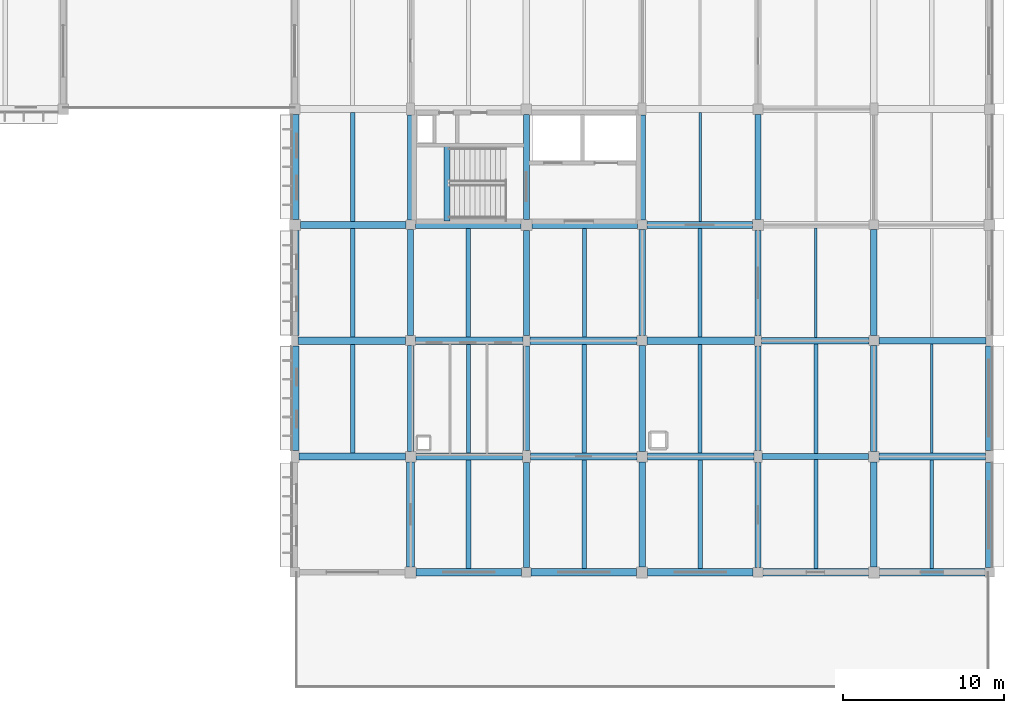
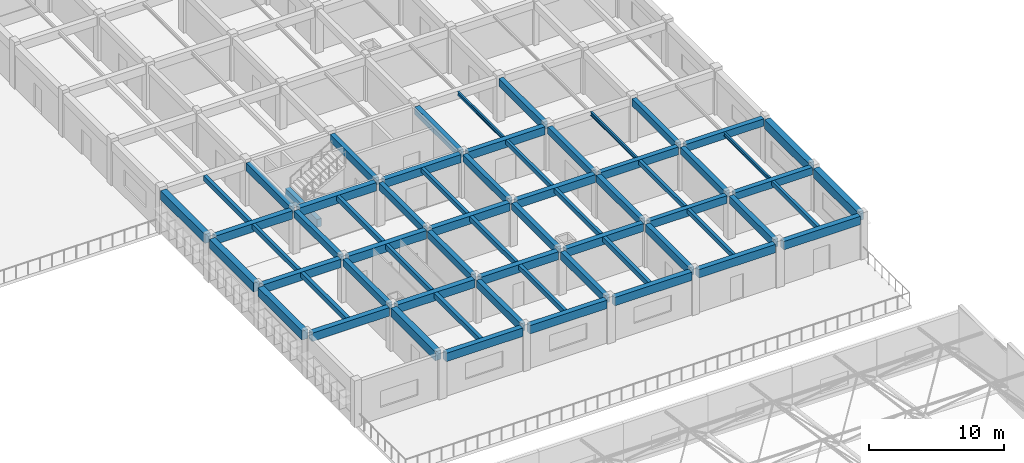
# One storey, part 63 of 103: 64 beams.
"""IFC4 building model written with IfcOpenShell, lengths in metres."""

from ifc_helpers import new_model, si_unit, direction, frame, origin, origin_2d, place, context, subcontext, project, spatial, rectangle, i_section, extrude, material, material_profile, profile_set, type_object, element, save


model = new_model("IFC4")

# Units and contexts
model_context = context("Model", 3, precision=1e-05, world=origin(), true_north=direction((0.0, 1.0)))
body_context = subcontext(model_context, "Body", "Model", "MODEL_VIEW")
ifc_project = project(units=[si_unit("LENGTHUNIT", "METRE"), si_unit("AREAUNIT", "SQUARE_METRE"), si_unit("VOLUMEUNIT", "CUBIC_METRE"), si_unit("PLANEANGLEUNIT", "RADIAN"), si_unit("MASSUNIT", "GRAM", prefix="KILO")], contexts=[model_context])

# Site, building, storey
site_placement = place(None, origin())
site = spatial("IfcSite", under=ifc_project, at=site_placement, CompositionType="ELEMENT")
building_placement = place(site_placement, origin())
building = spatial("IfcBuilding", under=site, at=building_placement, Name="Thalmaran Polytechnic", CompositionType="ELEMENT")
storey_placement = place(building_placement, frame((0.0, 0.0, 14.39990234375)))
storey = spatial("IfcBuildingStorey", under=building, at=storey_placement, Name="L03", CompositionType="ELEMENT", Elevation=14.39990234375)

# Beams
ifc_material_1 = material(Name="Concrete C40/50", Category="concrete")
ifc_material_profile_1 = material_profile(ifc_material_1, rectangle(XDim=0.449951171875, YDim=0.75, at=origin_2d()), Name="RC 450x750")
ifc_profile_set_1 = profile_set([ifc_material_profile_1], Name="Concrete C40/50")
beam_type_1 = type_object("IfcBeamType", Name="BM-RC03", PredefinedType="BEAM", material=ifc_profile_set_1)
beam_1_placement = place(storey_placement, frame((129.81005859375, 79.199951171875, 3.5400390625), z_axis=(1.0, 0.0, 0.0), x_axis=(0.0, 1.0, 0.0)))
element("IfcBeam", 1, at=beam_1_placement, inside=storey, type_object=beam_type_1, Name="Grid Beam B03 L03 X(18,11)", PredefinedType="BEAM", context=body_context, shape_type="SweptSolid", body=[
    extrude(rectangle(XDim=0.449951171875, YDim=0.75, at=origin_2d()), origin(), (0.0, 0.0, 1.0), 6.679931640625),
])
beam_2_placement = place(storey_placement, frame((129.93994140625, 86.39990234375, 3.5400390625), z_axis=(1.0, 0.0, 0.0), x_axis=(0.0, 1.0, 0.0)))
element("IfcBeam", 2, at=beam_2_placement, inside=storey, type_object=beam_type_1, Name="Grid Beam B03 L03 X(18,12)", PredefinedType="BEAM", context=body_context, shape_type="SweptSolid", body=[
    extrude(rectangle(XDim=0.449951171875, YDim=0.75, at=origin_2d()), origin(), (0.0, 0.0, 1.0), 6.56005859375),
])
ifc_material_profile_2 = material_profile(ifc_material_1, rectangle(XDim=0.449951171875, YDim=0.72509765625, at=origin_2d()), Name="RC 450x725")
ifc_profile_set_2 = profile_set([ifc_material_profile_2], Name="Concrete C40/50")
beam_type_2 = type_object("IfcBeamType", Name="BM-RC04", PredefinedType="BEAM", material=ifc_profile_set_2)
beam_3_placement = place(storey_placement, frame((144.25, 72.0, 3.552490234375), z_axis=(1.0, 0.0, 0.0), x_axis=(0.0, 1.0, 0.0)))
element("IfcBeam", 3, at=beam_3_placement, inside=storey, type_object=beam_type_2, Name="Grid Beam B04 L03 X(20,10)", PredefinedType="BEAM", context=body_context, shape_type="SweptSolid", body=[
    extrude(rectangle(XDim=0.449951171875, YDim=0.72509765625, at=origin_2d()), origin(), (0.0, 0.0, 1.0), 6.625),
])
beam_4_placement = place(storey_placement, frame((144.2099609375, 79.199951171875, 3.57763671875), z_axis=(1.0, 0.0, 0.0), x_axis=(0.0, 1.0, 0.0)))
element("IfcBeam", 4, at=beam_4_placement, inside=storey, type_object=beam_type_2, Name="Grid Beam B04 L03 X(20,11)", PredefinedType="BEAM", context=body_context, shape_type="SweptSolid", body=[
    extrude(rectangle(XDim=0.449951171875, YDim=0.72509765625, at=origin_2d()), origin(), (0.0, 0.0, 1.0), 6.679931640625),
])
beam_5_placement = place(storey_placement, frame((144.340087890625, 86.39990234375, 3.57763671875), z_axis=(1.0, 0.0, 0.0), x_axis=(0.0, 1.0, 0.0)))
element("IfcBeam", 5, at=beam_5_placement, inside=storey, type_object=beam_type_2, Name="Grid Beam B04 L03 X(20,12)", PredefinedType="BEAM", context=body_context, shape_type="SweptSolid", body=[
    extrude(rectangle(XDim=0.449951171875, YDim=0.72509765625, at=origin_2d()), origin(), (0.0, 0.0, 1.0), 6.559814453125),
])
ifc_material_profile_3 = material_profile(ifc_material_1, rectangle(XDim=0.39990234375, YDim=0.699951171875, at=origin_2d()), Name="RC 400x700")
ifc_profile_set_3 = profile_set([ifc_material_profile_3], Name="Concrete C40/50")
beam_type_3 = type_object("IfcBeamType", Name="BM-RC05", PredefinedType="BEAM", material=ifc_profile_set_3)
beam_6_placement = place(storey_placement, frame((158.64990234375, 72.0, 3.565185546875), z_axis=(1.0, 0.0, 0.0), x_axis=(0.0, 1.0, 0.0)))
element("IfcBeam", 6, at=beam_6_placement, inside=storey, type_object=beam_type_3, Name="Grid Beam B05 L03 X(22,10)", PredefinedType="BEAM", context=body_context, shape_type="SweptSolid", body=[
    extrude(rectangle(XDim=0.39990234375, YDim=0.699951171875, at=origin_2d()), origin(), (0.0, 0.0, 1.0), 6.625),
])
beam_7_placement = place(storey_placement, frame((158.610107421875, 79.199951171875, 3.590087890625), z_axis=(1.0, 0.0, 0.0), x_axis=(0.0, 1.0, 0.0)))
element("IfcBeam", 7, at=beam_7_placement, inside=storey, type_object=beam_type_3, Name="Grid Beam B05 L03 X(22,11)", PredefinedType="BEAM", context=body_context, shape_type="SweptSolid", body=[
    extrude(rectangle(XDim=0.39990234375, YDim=0.699951171875, at=origin_2d()), origin(), (0.0, 0.0, 1.0), 6.679931640625),
])
ifc_material_profile_4 = material_profile(ifc_material_1, rectangle(XDim=0.39990234375, YDim=0.6298828125, at=origin_2d()), Name="RC 400x630")
ifc_profile_set_4 = profile_set([ifc_material_profile_4], Name="Concrete C40/50")
beam_type_4 = type_object("IfcBeamType", Name="BM-RC07", PredefinedType="BEAM", material=ifc_profile_set_4)
beam_8_placement = place(storey_placement, frame((136.800048828125, 72.324951171875, 3.60009765625), z_axis=(0.0, 1.0, 0.0), x_axis=(-1.0, 0.0, 0.0)))
element("IfcBeam", 8, at=beam_8_placement, inside=storey, type_object=beam_type_4, Name="Grid Beam B07 L03 Y(19,10)", PredefinedType="BEAM", context=body_context, shape_type="SweptSolid", body=[
    extrude(rectangle(XDim=0.39990234375, YDim=0.6298828125, at=origin_2d()), origin(), (0.0, 0.0, 1.0), 6.56494140625),
])
beam_9_placement = place(storey_placement, frame((144.0, 72.375, 3.625), z_axis=(0.0, 1.0, 0.0), x_axis=(-1.0, 0.0, 0.0)))
element("IfcBeam", 9, at=beam_9_placement, inside=storey, type_object=beam_type_4, Name="Grid Beam B07 L03 Y(20,10)", PredefinedType="BEAM", context=body_context, shape_type="SweptSolid", body=[
    extrude(rectangle(XDim=0.39990234375, YDim=0.6298828125, at=origin_2d()), origin(), (0.0, 0.0, 1.0), 6.5048828125),
])
beam_10_placement = place(storey_placement, frame((151.199951171875, 72.324951171875, 3.625), z_axis=(0.0, 1.0, 0.0), x_axis=(-1.0, 0.0, 0.0)))
element("IfcBeam", 10, at=beam_10_placement, inside=storey, type_object=beam_type_4, Name="Grid Beam B07 L03 Y(21,10)", PredefinedType="BEAM", context=body_context, shape_type="SweptSolid", body=[
    extrude(rectangle(XDim=0.39990234375, YDim=0.6298828125, at=origin_2d()), origin(), (0.0, 0.0, 1.0), 6.56494140625),
])
beam_11_placement = place(storey_placement, frame((158.39990234375, 72.375, 3.625), z_axis=(0.0, 1.0, 0.0), x_axis=(-1.0, 0.0, 0.0)))
element("IfcBeam", 11, at=beam_11_placement, inside=storey, type_object=beam_type_4, Name="Grid Beam B07 L03 Y(22,10)", PredefinedType="BEAM", context=body_context, shape_type="SweptSolid", body=[
    extrude(rectangle(XDim=0.39990234375, YDim=0.6298828125, at=origin_2d()), origin(), (0.0, 0.0, 1.0), 6.5048828125),
])
beam_12_placement = place(storey_placement, frame((165.60009765625, 72.324951171875, 3.625), z_axis=(0.0, 1.0, 0.0), x_axis=(-1.0, 0.0, 0.0)))
element("IfcBeam", 12, at=beam_12_placement, inside=storey, type_object=beam_type_4, Name="Grid Beam B07 L03 Y(23,10)", PredefinedType="BEAM", context=body_context, shape_type="SweptSolid", body=[
    extrude(rectangle(XDim=0.39990234375, YDim=0.6298828125, at=origin_2d()), origin(), (0.0, 0.0, 1.0), 6.56494140625),
])
ifc_material_profile_5 = material_profile(ifc_material_1, rectangle(XDim=0.389892578125, YDim=0.68505859375, at=origin_2d()), Name="RC 390x685")
ifc_profile_set_5 = profile_set([ifc_material_profile_5], Name="Concrete C40/50")
beam_type_5 = type_object("IfcBeamType", Name="BM-RC08", PredefinedType="BEAM", material=ifc_profile_set_5)
beam_13_placement = place(storey_placement, frame((136.800048828125, 86.699951171875, 3.572509765625), z_axis=(0.0, 1.0, 0.0), x_axis=(-1.0, 0.0, 0.0)))
element("IfcBeam", 13, at=beam_13_placement, inside=storey, type_object=beam_type_5, Name="Grid Beam B08 L03 Y(19,12)", PredefinedType="BEAM", context=body_context, shape_type="SweptSolid", body=[
    extrude(rectangle(XDim=0.389892578125, YDim=0.68505859375, at=origin_2d()), origin(), (0.0, 0.0, 1.0), 6.525146484375),
])
beam_14_placement = place(storey_placement, frame((144.0, 86.739990234375, 3.59765625), z_axis=(0.0, 1.0, 0.0), x_axis=(-1.0, 0.0, 0.0)))
element("IfcBeam", 14, at=beam_14_placement, inside=storey, type_object=beam_type_5, Name="Grid Beam B08 L03 Y(20,12)", PredefinedType="BEAM", context=body_context, shape_type="SweptSolid", body=[
    extrude(rectangle(XDim=0.389892578125, YDim=0.68505859375, at=origin_2d()), origin(), (0.0, 0.0, 1.0), 6.534912109375),
])
beam_15_placement = place(storey_placement, frame((151.199951171875, 86.699951171875, 3.59765625), z_axis=(0.0, 1.0, 0.0), x_axis=(-1.0, 0.0, 0.0)))
element("IfcBeam", 15, at=beam_15_placement, inside=storey, type_object=beam_type_5, Name="Grid Beam B08 L03 Y(21,12)", PredefinedType="BEAM", context=body_context, shape_type="SweptSolid", body=[
    extrude(rectangle(XDim=0.389892578125, YDim=0.68505859375, at=origin_2d()), origin(), (0.0, 0.0, 1.0), 6.525146484375),
])
beam_16_placement = place(storey_placement, frame((158.39990234375, 86.739990234375, 3.59765625), z_axis=(0.0, 1.0, 0.0), x_axis=(-1.0, 0.0, 0.0)))
element("IfcBeam", 16, at=beam_16_placement, inside=storey, type_object=beam_type_5, Name="Grid Beam B08 L03 Y(22,12)", PredefinedType="BEAM", context=body_context, shape_type="SweptSolid", body=[
    extrude(rectangle(XDim=0.389892578125, YDim=0.68505859375, at=origin_2d()), origin(), (0.0, 0.0, 1.0), 6.534912109375),
])
ifc_material_profile_6 = material_profile(ifc_material_1, rectangle(XDim=0.389892578125, YDim=0.695068359375, at=origin_2d()), Name="RC 390x695")
ifc_profile_set_6 = profile_set([ifc_material_profile_6], Name="Concrete C40/50")
beam_type_6 = type_object("IfcBeamType", Name="BM-RC10", PredefinedType="BEAM", material=ifc_profile_set_6)
beam_17_placement = place(storey_placement, frame((144.0, 65.10009765625, 3.567626953125), z_axis=(0.0, 1.0, 0.0), x_axis=(-1.0, 0.0, 0.0)))
element("IfcBeam", 17, at=beam_17_placement, inside=storey, type_object=beam_type_6, Name="Grid Beam B10 L03 Y(20,9)", PredefinedType="BEAM", context=body_context, shape_type="SweptSolid", body=[
    extrude(rectangle(XDim=0.389892578125, YDim=0.695068359375, at=origin_2d()), origin(), (0.0, 0.0, 1.0), 6.52490234375),
])
beam_18_placement = place(storey_placement, frame((151.199951171875, 65.139892578125, 3.567626953125), z_axis=(0.0, 1.0, 0.0), x_axis=(-1.0, 0.0, 0.0)))
element("IfcBeam", 18, at=beam_18_placement, inside=storey, type_object=beam_type_6, Name="Grid Beam B10 L03 Y(21,9)", PredefinedType="BEAM", context=body_context, shape_type="SweptSolid", body=[
    extrude(rectangle(XDim=0.389892578125, YDim=0.695068359375, at=origin_2d()), origin(), (0.0, 0.0, 1.0), 6.53515625),
])
beam_19_placement = place(storey_placement, frame((158.39990234375, 65.10009765625, 3.567626953125), z_axis=(0.0, 1.0, 0.0), x_axis=(-1.0, 0.0, 0.0)))
element("IfcBeam", 19, at=beam_19_placement, inside=storey, type_object=beam_type_6, Name="Grid Beam B10 L03 Y(22,9)", PredefinedType="BEAM", context=body_context, shape_type="SweptSolid", body=[
    extrude(rectangle(XDim=0.389892578125, YDim=0.695068359375, at=origin_2d()), origin(), (0.0, 0.0, 1.0), 6.52490234375),
])
beam_20_placement = place(storey_placement, frame((165.60009765625, 65.139892578125, 3.567626953125), z_axis=(0.0, 1.0, 0.0), x_axis=(-1.0, 0.0, 0.0)))
element("IfcBeam", 20, at=beam_20_placement, inside=storey, type_object=beam_type_6, Name="Grid Beam B10 L03 Y(23,9)", PredefinedType="BEAM", context=body_context, shape_type="SweptSolid", body=[
    extrude(rectangle(XDim=0.389892578125, YDim=0.695068359375, at=origin_2d()), origin(), (0.0, 0.0, 1.0), 6.53515625),
])
beam_21_placement = place(storey_placement, frame((139.06005859375, 86.639892578125, 1.64013671875), z_axis=(0.0, 1.0, 0.0), x_axis=(-1.0, 0.0, 0.0)))
element("IfcBeam", 21, at=beam_21_placement, inside=storey, type_object=beam_type_6, Name="ST5 L03 Half-Landing Trimmer Beam", PredefinedType="BEAM", context=body_context, shape_type="SweptSolid", body=[
    extrude(rectangle(XDim=0.389892578125, YDim=0.695068359375, at=origin_2d()), origin(), (0.0, 0.0, 1.0), 4.7001953125),
])
ifc_material_profile_7 = material_profile(ifc_material_1, rectangle(XDim=0.300048828125, YDim=0.449951171875, at=origin_2d()), Name="RC 300x450")
ifc_profile_set_7 = profile_set([ifc_material_profile_7], Name="Concrete C40/50")
beam_type_7 = type_object("IfcBeamType", Name="BM-RC12", PredefinedType="JOIST", material=ifc_profile_set_7)
beam_22_placement = place(storey_placement, frame((133.199951171875, 72.22509765625, 3.690185546875), z_axis=(0.0, 1.0, 0.0), x_axis=(-1.0, 0.0, 0.0)))
element("IfcBeam", 22, at=beam_22_placement, inside=storey, type_object=beam_type_7, Name="Secondary Floor Rib RB02 L03 (18,10)", PredefinedType="JOIST", context=body_context, shape_type="SweptSolid", body=[
    extrude(rectangle(XDim=0.300048828125, YDim=0.449951171875, at=origin_2d()), origin(), (0.0, 0.0, 1.0), 6.75),
])
beam_23_placement = place(storey_placement, frame((140.39990234375, 65.02490234375, 3.690185546875), z_axis=(0.0, 1.0, 0.0), x_axis=(-1.0, 0.0, 0.0)))
element("IfcBeam", 23, at=beam_23_placement, inside=storey, type_object=beam_type_7, Name="Secondary Floor Rib RB02 L03 (19,9)", PredefinedType="JOIST", context=body_context, shape_type="SweptSolid", body=[
    extrude(rectangle(XDim=0.300048828125, YDim=0.449951171875, at=origin_2d()), origin(), (0.0, 0.0, 1.0), 6.7451171875),
])
ifc_material_profile_8 = material_profile(ifc_material_1, rectangle(XDim=0.280029296875, YDim=0.449951171875, at=origin_2d()), Name="RC 280x450")
ifc_profile_set_8 = profile_set([ifc_material_profile_8], Name="Concrete C40/50")
beam_type_8 = type_object("IfcBeamType", Name="BM-RC13", PredefinedType="JOIST", material=ifc_profile_set_8)
beam_24_placement = place(storey_placement, frame((133.199951171875, 86.625, 3.690185546875), z_axis=(0.0, 1.0, 0.0), x_axis=(-1.0, 0.0, 0.0)))
element("IfcBeam", 24, at=beam_24_placement, inside=storey, type_object=beam_type_8, Name="Secondary Floor Rib RB03 L03 (18,12)", PredefinedType="JOIST", context=body_context, shape_type="SweptSolid", body=[
    extrude(rectangle(XDim=0.280029296875, YDim=0.449951171875, at=origin_2d()), origin(), (0.0, 0.0, 1.0), 6.75),
])
beam_25_placement = place(storey_placement, frame((140.39990234375, 79.429931640625, 3.715087890625), z_axis=(0.0, 1.0, 0.0), x_axis=(-1.0, 0.0, 0.0)))
element("IfcBeam", 25, at=beam_25_placement, inside=storey, type_object=beam_type_8, Name="Secondary Floor Rib RB03 L03 (19,11)", PredefinedType="JOIST", context=body_context, shape_type="SweptSolid", body=[
    extrude(rectangle(XDim=0.280029296875, YDim=0.449951171875, at=origin_2d()), origin(), (0.0, 0.0, 1.0), 6.739990234375),
])
beam_26_placement = place(storey_placement, frame((147.60009765625, 72.22509765625, 3.715087890625), z_axis=(0.0, 1.0, 0.0), x_axis=(-1.0, 0.0, 0.0)))
element("IfcBeam", 26, at=beam_26_placement, inside=storey, type_object=beam_type_8, Name="Secondary Floor Rib RB03 L03 (20,10)", PredefinedType="JOIST", context=body_context, shape_type="SweptSolid", body=[
    extrude(rectangle(XDim=0.280029296875, YDim=0.449951171875, at=origin_2d()), origin(), (0.0, 0.0, 1.0), 6.75),
])
beam_27_placement = place(storey_placement, frame((154.800048828125, 65.02490234375, 3.690185546875), z_axis=(0.0, 1.0, 0.0), x_axis=(-1.0, 0.0, 0.0)))
element("IfcBeam", 27, at=beam_27_placement, inside=storey, type_object=beam_type_8, Name="Secondary Floor Rib RB03 L03 (21,9)", PredefinedType="JOIST", context=body_context, shape_type="SweptSolid", body=[
    extrude(rectangle(XDim=0.280029296875, YDim=0.449951171875, at=origin_2d()), origin(), (0.0, 0.0, 1.0), 6.755126953125),
])
ifc_material_2 = material(Name="Steel S355", Category="steel")
ifc_material_profile_9 = material_profile(ifc_material_2, i_section(OverallWidth=0.159912109375, OverallDepth=0.330078125, WebThickness=0.007568359375, FlangeThickness=0.011474609375, at=origin_2d()), Name="IPE 330")
ifc_profile_set_9 = profile_set([ifc_material_profile_9], Name="Steel S355")
beam_type_9 = type_object("IfcBeamType", Name="BM-SJ02", PredefinedType="JOIST", material=ifc_profile_set_9)
beam_28_placement = place(storey_placement, frame((154.800048828125, 86.6201171875, 3.775146484375), z_axis=(0.0, 1.0, 0.0), x_axis=(-1.0, 0.0, 0.0)))
element("IfcBeam", 28, at=beam_28_placement, inside=storey, type_object=beam_type_9, Name="Secondary Floor Rib SJ02 L03 (21,12)", PredefinedType="JOIST", context=body_context, shape_type="SweptSolid", body=[
    extrude(i_section(OverallWidth=0.159912109375, OverallDepth=0.330078125, WebThickness=0.007568359375, FlangeThickness=0.011474609375, at=origin_2d()), origin(), (0.0, 0.0, 1.0), 6.759765625),
])
beam_29_placement = place(storey_placement, frame((162.0, 79.39990234375, 3.775146484375), z_axis=(0.0, 1.0, 0.0), x_axis=(-1.0, 0.0, 0.0)))
element("IfcBeam", 29, at=beam_29_placement, inside=storey, type_object=beam_type_9, Name="Secondary Floor Rib SJ02 L03 (22,11)", PredefinedType="JOIST", context=body_context, shape_type="SweptSolid", body=[
    extrude(i_section(OverallWidth=0.159912109375, OverallDepth=0.330078125, WebThickness=0.007568359375, FlangeThickness=0.011474609375, at=origin_2d()), origin(), (0.0, 0.0, 1.0), 6.800048828125),
])
beam_30_placement = place(storey_placement, frame((169.199951171875, 72.2099609375, 3.775146484375), z_axis=(0.0, 1.0, 0.0), x_axis=(-1.0, 0.0, 0.0)))
element("IfcBeam", 30, at=beam_30_placement, inside=storey, type_object=beam_type_9, Name="Secondary Floor Rib SJ02 L03 (23,10)", PredefinedType="JOIST", context=body_context, shape_type="SweptSolid", body=[
    extrude(i_section(OverallWidth=0.159912109375, OverallDepth=0.330078125, WebThickness=0.007568359375, FlangeThickness=0.011474609375, at=origin_2d()), origin(), (0.0, 0.0, 1.0), 6.780029296875),
])
ifc_material_profile_10 = material_profile(ifc_material_1, rectangle(XDim=0.449951171875, YDim=0.7548828125, at=origin_2d()), Name="RC 450x755")
ifc_profile_set_10 = profile_set([ifc_material_profile_10], Name="Concrete C40/50")
beam_type_10 = type_object("IfcBeamType", Name="BM-SP02", PredefinedType="SPANDREL", material=ifc_profile_set_10)
beam_31_placement = place(storey_placement, frame((129.85009765625, 72.0, 3.53759765625), z_axis=(1.0, 0.0, 0.0), x_axis=(0.0, 1.0, 0.0)))
element("IfcBeam", 31, at=beam_31_placement, inside=storey, type_object=beam_type_10, Name="Grid Beam SP02 L03 X(18,10)", PredefinedType="SPANDREL", context=body_context, shape_type="SweptSolid", body=[
    extrude(rectangle(XDim=0.449951171875, YDim=0.7548828125, at=origin_2d()), origin(), (0.0, 0.0, 1.0), 6.625),
])
for number, where, z_axis, x_axis, name in (
    (32, (137.139892578125, 64.800048828125, 3.53759765625), (1.0, 0.0, 0.0), (0.0, 1.0, 0.0), "Grid Beam SP02 L03 X(19,9)"),
    (33, (144.300048828125, 64.800048828125, 3.53759765625), (1.0, 0.0, 0.0), (0.0, 1.0, 0.0), "Grid Beam SP02 L03 X(20,9)"),
    (34, (151.5400390625, 64.800048828125, 3.53759765625), (1.0, 0.0, 0.0), (0.0, 1.0, 0.0), "Grid Beam SP02 L03 X(21,9)"),
    (35, (158.699951171875, 64.800048828125, 3.53759765625), (1.0, 0.0, 0.0), (0.0, 1.0, 0.0), "Grid Beam SP02 L03 X(22,9)"),
    (36, (165.93994140625, 64.800048828125, 3.53759765625), (1.0, 0.0, 0.0), (0.0, 1.0, 0.0), "Grid Beam SP02 L03 X(23,9)"),
):
    element("IfcBeam", number, at=place(storey_placement, frame(where, z_axis=z_axis, x_axis=x_axis)), inside=storey, type_object=beam_type_10, Name=name, PredefinedType="SPANDREL", context=body_context, shape_type="SweptSolid", body=[
        extrude(rectangle(XDim=0.449951171875, YDim=0.7548828125, at=origin_2d()), origin(), (0.0, 0.0, 1.0), 6.56005859375),
    ])
ifc_material_profile_11 = material_profile(ifc_material_1, rectangle(XDim=0.5, YDim=0.804931640625, at=origin_2d()), Name="RC 500x805")
ifc_profile_set_11 = profile_set([ifc_material_profile_11], Name="Concrete C40/50")
beam_type_11 = type_object("IfcBeamType", Name="BM-SP03", PredefinedType="SPANDREL", material=ifc_profile_set_11)
beam_32_placement = place(storey_placement, frame((129.60009765625, 72.375, 3.5126953125), z_axis=(0.0, 1.0, 0.0), x_axis=(-1.0, 0.0, 0.0)))
element("IfcBeam", 37, at=beam_32_placement, inside=storey, type_object=beam_type_11, Name="Grid Beam SP03 L03 Y(18,10)", PredefinedType="SPANDREL", context=body_context, shape_type="SweptSolid", body=[
    extrude(rectangle(XDim=0.5, YDim=0.804931640625, at=origin_2d()), origin(), (0.0, 0.0, 1.0), 6.5048828125),
])
beam_33_placement = place(storey_placement, frame((129.60009765625, 79.52001953125, 3.5126953125), z_axis=(0.0, 1.0, 0.0), x_axis=(-1.0, 0.0, 0.0)))
element("IfcBeam", 38, at=beam_33_placement, inside=storey, type_object=beam_type_11, Name="Grid Beam SP03 L03 Y(18,11)", PredefinedType="SPANDREL", context=body_context, shape_type="SweptSolid", body=[
    extrude(rectangle(XDim=0.5, YDim=0.804931640625, at=origin_2d()), origin(), (0.0, 0.0, 1.0), 6.5400390625),
])
beam_34_placement = place(storey_placement, frame((129.60009765625, 86.739990234375, 3.5126953125), z_axis=(0.0, 1.0, 0.0), x_axis=(-1.0, 0.0, 0.0)))
element("IfcBeam", 39, at=beam_34_placement, inside=storey, type_object=beam_type_11, Name="Grid Beam SP03 L03 Y(18,12)", PredefinedType="SPANDREL", context=body_context, shape_type="SweptSolid", body=[
    extrude(rectangle(XDim=0.5, YDim=0.804931640625, at=origin_2d()), origin(), (0.0, 0.0, 1.0), 6.534912109375),
])
beam_35_placement = place(storey_placement, frame((136.800048828125, 65.139892578125, 3.5126953125), z_axis=(0.0, 1.0, 0.0), x_axis=(-1.0, 0.0, 0.0)))
element("IfcBeam", 40, at=beam_35_placement, inside=storey, type_object=beam_type_11, Name="Grid Beam SP03 L03 Y(19,9)", PredefinedType="SPANDREL", context=body_context, shape_type="SweptSolid", body=[
    extrude(rectangle(XDim=0.5, YDim=0.804931640625, at=origin_2d()), origin(), (0.0, 0.0, 1.0), 6.53515625),
])
beam_36_placement = place(storey_placement, frame((172.800048828125, 65.10009765625, 3.5126953125), z_axis=(0.0, 1.0, 0.0), x_axis=(-1.0, 0.0, 0.0)))
element("IfcBeam", 41, at=beam_36_placement, inside=storey, type_object=beam_type_11, Name="Grid Beam SP03 L03 Y(24,9)", PredefinedType="SPANDREL", context=body_context, shape_type="SweptSolid", body=[
    extrude(rectangle(XDim=0.5, YDim=0.804931640625, at=origin_2d()), origin(), (0.0, 0.0, 1.0), 6.52490234375),
])
beam_37_placement = place(storey_placement, frame((172.800048828125, 72.375, 3.53759765625), z_axis=(0.0, 1.0, 0.0), x_axis=(-1.0, 0.0, 0.0)))
element("IfcBeam", 42, at=beam_37_placement, inside=storey, type_object=beam_type_11, Name="Grid Beam SP03 L03 Y(24,10)", PredefinedType="SPANDREL", context=body_context, shape_type="SweptSolid", body=[
    extrude(rectangle(XDim=0.5, YDim=0.804931640625, at=origin_2d()), origin(), (0.0, 0.0, 1.0), 6.5048828125),
])
ifc_material_profile_12 = material_profile(ifc_material_1, rectangle(XDim=0.4599609375, YDim=0.739990234375, at=origin_2d()), Name="RC 460x740")
ifc_profile_set_12 = profile_set([ifc_material_profile_12], Name="Concrete C40/50")
beam_type_12 = type_object("IfcBeamType", Name="BM-ZB02", PredefinedType="BEAM", material=ifc_profile_set_12)
beam_38_placement = place(storey_placement, frame((137.125, 72.0, 3.545166015625), z_axis=(1.0, 0.0, 0.0), x_axis=(0.0, 1.0, 0.0)))
element("IfcBeam", 43, at=beam_38_placement, inside=storey, type_object=beam_type_12, Name="Grid Beam ZB02 L03 X(19,10)", PredefinedType="BEAM", context=body_context, shape_type="SweptSolid", body=[
    extrude(rectangle(XDim=0.4599609375, YDim=0.739990234375, at=origin_2d()), origin(), (0.0, 0.0, 1.0), 6.625),
])
beam_39_placement = place(storey_placement, frame((137.110107421875, 79.199951171875, 3.570068359375), z_axis=(1.0, 0.0, 0.0), x_axis=(0.0, 1.0, 0.0)))
element("IfcBeam", 44, at=beam_39_placement, inside=storey, type_object=beam_type_12, Name="Grid Beam ZB02 L03 X(19,11)", PredefinedType="BEAM", context=body_context, shape_type="SweptSolid", body=[
    extrude(rectangle(XDim=0.4599609375, YDim=0.739990234375, at=origin_2d()), origin(), (0.0, 0.0, 1.0), 6.679931640625),
])
beam_40_placement = place(storey_placement, frame((137.10009765625, 86.39990234375, 3.570068359375), z_axis=(1.0, 0.0, 0.0), x_axis=(0.0, 1.0, 0.0)))
element("IfcBeam", 45, at=beam_40_placement, inside=storey, type_object=beam_type_12, Name="Grid Beam ZB02 L03 X(19,12)", PredefinedType="BEAM", context=body_context, shape_type="SweptSolid", body=[
    extrude(rectangle(XDim=0.4599609375, YDim=0.739990234375, at=origin_2d()), origin(), (0.0, 0.0, 1.0), 6.559814453125),
])
ifc_material_profile_13 = material_profile(ifc_material_1, rectangle(XDim=0.43994140625, YDim=0.719970703125, at=origin_2d()), Name="RC 440x720")
ifc_profile_set_13 = profile_set([ifc_material_profile_13], Name="Concrete C40/50")
beam_type_13 = type_object("IfcBeamType", Name="BM-ZB03", PredefinedType="BEAM", material=ifc_profile_set_13)
beam_41_placement = place(storey_placement, frame((151.52490234375, 72.0, 3.55517578125), z_axis=(1.0, 0.0, 0.0), x_axis=(0.0, 1.0, 0.0)))
element("IfcBeam", 46, at=beam_41_placement, inside=storey, type_object=beam_type_13, Name="Grid Beam ZB03 L03 X(21,10)", PredefinedType="BEAM", context=body_context, shape_type="SweptSolid", body=[
    extrude(rectangle(XDim=0.43994140625, YDim=0.719970703125, at=origin_2d()), origin(), (0.0, 0.0, 1.0), 6.625),
])
beam_42_placement = place(storey_placement, frame((151.510009765625, 79.199951171875, 3.580078125), z_axis=(1.0, 0.0, 0.0), x_axis=(0.0, 1.0, 0.0)))
element("IfcBeam", 47, at=beam_42_placement, inside=storey, type_object=beam_type_13, Name="Grid Beam ZB03 L03 X(21,11)", PredefinedType="BEAM", context=body_context, shape_type="SweptSolid", body=[
    extrude(rectangle(XDim=0.43994140625, YDim=0.719970703125, at=origin_2d()), origin(), (0.0, 0.0, 1.0), 6.679931640625),
])
beam_43_placement = place(storey_placement, frame((151.5, 86.39990234375, 3.580078125), z_axis=(1.0, 0.0, 0.0), x_axis=(0.0, 1.0, 0.0)))
element("IfcBeam", 48, at=beam_43_placement, inside=storey, type_object=beam_type_13, Name="Grid Beam ZB03 L03 X(21,12)", PredefinedType="BEAM", context=body_context, shape_type="SweptSolid", body=[
    extrude(rectangle(XDim=0.43994140625, YDim=0.719970703125, at=origin_2d()), origin(), (0.0, 0.0, 1.0), 6.56005859375),
])
ifc_material_profile_14 = material_profile(ifc_material_1, rectangle(XDim=0.419921875, YDim=0.659912109375, at=origin_2d()), Name="RC 420x660")
ifc_profile_set_14 = profile_set([ifc_material_profile_14], Name="Concrete C40/50")
beam_type_14 = type_object("IfcBeamType", Name="BM-ZB04", PredefinedType="BEAM", material=ifc_profile_set_14)
beam_44_placement = place(storey_placement, frame((165.925048828125, 72.0, 3.585205078125), z_axis=(1.0, 0.0, 0.0), x_axis=(0.0, 1.0, 0.0)))
element("IfcBeam", 49, at=beam_44_placement, inside=storey, type_object=beam_type_14, Name="Grid Beam ZB04 L03 X(23,10)", PredefinedType="BEAM", context=body_context, shape_type="SweptSolid", body=[
    extrude(rectangle(XDim=0.419921875, YDim=0.659912109375, at=origin_2d()), origin(), (0.0, 0.0, 1.0), 6.625),
])
beam_45_placement = place(storey_placement, frame((165.909912109375, 79.199951171875, 3.610107421875), z_axis=(1.0, 0.0, 0.0), x_axis=(0.0, 1.0, 0.0)))
element("IfcBeam", 50, at=beam_45_placement, inside=storey, type_object=beam_type_14, Name="Grid Beam ZB04 L03 X(23,11)", PredefinedType="BEAM", context=body_context, shape_type="SweptSolid", body=[
    extrude(rectangle(XDim=0.419921875, YDim=0.659912109375, at=origin_2d()), origin(), (0.0, 0.0, 1.0), 6.68017578125),
])
ifc_material_profile_15 = material_profile(ifc_material_1, rectangle(XDim=0.3798828125, YDim=0.635009765625, at=origin_2d()), Name="RC 380x635")
ifc_profile_set_15 = profile_set([ifc_material_profile_15], Name="Concrete C40/50")
beam_type_15 = type_object("IfcBeamType", Name="BM-ZB06", PredefinedType="BEAM", material=ifc_profile_set_15)
beam_46_placement = place(storey_placement, frame((136.800048828125, 79.510009765625, 3.59765625), z_axis=(0.0, 1.0, 0.0), x_axis=(-1.0, 0.0, 0.0)))
element("IfcBeam", 51, at=beam_46_placement, inside=storey, type_object=beam_type_15, Name="Grid Beam ZB06 L03 Y(19,11)", PredefinedType="BEAM", context=body_context, shape_type="SweptSolid", body=[
    extrude(rectangle(XDim=0.3798828125, YDim=0.635009765625, at=origin_2d()), origin(), (0.0, 0.0, 1.0), 6.590087890625),
])
beam_47_placement = place(storey_placement, frame((144.0, 79.52001953125, 3.62255859375), z_axis=(0.0, 1.0, 0.0), x_axis=(-1.0, 0.0, 0.0)))
element("IfcBeam", 52, at=beam_47_placement, inside=storey, type_object=beam_type_15, Name="Grid Beam ZB06 L03 Y(20,11)", PredefinedType="BEAM", context=body_context, shape_type="SweptSolid", body=[
    extrude(rectangle(XDim=0.3798828125, YDim=0.635009765625, at=origin_2d()), origin(), (0.0, 0.0, 1.0), 6.5400390625),
])
beam_48_placement = place(storey_placement, frame((151.199951171875, 79.510009765625, 3.62255859375), z_axis=(0.0, 1.0, 0.0), x_axis=(-1.0, 0.0, 0.0)))
element("IfcBeam", 53, at=beam_48_placement, inside=storey, type_object=beam_type_15, Name="Grid Beam ZB06 L03 Y(21,11)", PredefinedType="BEAM", context=body_context, shape_type="SweptSolid", body=[
    extrude(rectangle(XDim=0.3798828125, YDim=0.635009765625, at=origin_2d()), origin(), (0.0, 0.0, 1.0), 6.590087890625),
])
beam_49_placement = place(storey_placement, frame((158.39990234375, 79.52001953125, 3.62255859375), z_axis=(0.0, 1.0, 0.0), x_axis=(-1.0, 0.0, 0.0)))
element("IfcBeam", 54, at=beam_49_placement, inside=storey, type_object=beam_type_15, Name="Grid Beam ZB06 L03 Y(22,11)", PredefinedType="BEAM", context=body_context, shape_type="SweptSolid", body=[
    extrude(rectangle(XDim=0.3798828125, YDim=0.635009765625, at=origin_2d()), origin(), (0.0, 0.0, 1.0), 6.5400390625),
])
beam_50_placement = place(storey_placement, frame((165.60009765625, 79.510009765625, 3.62255859375), z_axis=(0.0, 1.0, 0.0), x_axis=(-1.0, 0.0, 0.0)))
element("IfcBeam", 55, at=beam_50_placement, inside=storey, type_object=beam_type_15, Name="Grid Beam ZB06 L03 Y(23,11)", PredefinedType="BEAM", context=body_context, shape_type="SweptSolid", body=[
    extrude(rectangle(XDim=0.3798828125, YDim=0.635009765625, at=origin_2d()), origin(), (0.0, 0.0, 1.0), 6.590087890625),
])
ifc_material_profile_16 = material_profile(ifc_material_1, rectangle(XDim=0.260009765625, YDim=0.43994140625, at=origin_2d()), Name="RC 260x440")
ifc_profile_set_16 = profile_set([ifc_material_profile_16], Name="Concrete C40/50")
beam_type_16 = type_object("IfcBeamType", Name="BM-ZJ02", PredefinedType="JOIST", material=ifc_profile_set_16)
beam_51_placement = place(storey_placement, frame((133.199951171875, 79.425048828125, 3.695068359375), z_axis=(0.0, 1.0, 0.0), x_axis=(-1.0, 0.0, 0.0)))
element("IfcBeam", 56, at=beam_51_placement, inside=storey, type_object=beam_type_16, Name="Secondary Floor Rib ZJ02 L03 (18,11)", PredefinedType="JOIST", context=body_context, shape_type="SweptSolid", body=[
    extrude(rectangle(XDim=0.260009765625, YDim=0.43994140625, at=origin_2d()), origin(), (0.0, 0.0, 1.0), 6.75),
])
beam_52_placement = place(storey_placement, frame((140.39990234375, 72.22998046875, 3.72021484375), z_axis=(0.0, 1.0, 0.0), x_axis=(-1.0, 0.0, 0.0)))
element("IfcBeam", 57, at=beam_52_placement, inside=storey, type_object=beam_type_16, Name="Secondary Floor Rib ZJ02 L03 (19,10)", PredefinedType="JOIST", context=body_context, shape_type="SweptSolid", body=[
    extrude(rectangle(XDim=0.260009765625, YDim=0.43994140625, at=origin_2d()), origin(), (0.0, 0.0, 1.0), 6.739990234375),
])
beam_53_placement = place(storey_placement, frame((147.60009765625, 65.02490234375, 3.695068359375), z_axis=(0.0, 1.0, 0.0), x_axis=(-1.0, 0.0, 0.0)))
element("IfcBeam", 58, at=beam_53_placement, inside=storey, type_object=beam_type_16, Name="Secondary Floor Rib ZJ02 L03 (20,9)", PredefinedType="JOIST", context=body_context, shape_type="SweptSolid", body=[
    extrude(rectangle(XDim=0.260009765625, YDim=0.43994140625, at=origin_2d()), origin(), (0.0, 0.0, 1.0), 6.75),
])
ifc_material_profile_17 = material_profile(ifc_material_1, rectangle(XDim=0.25, YDim=0.419921875, at=origin_2d()), Name="RC 250x420")
ifc_profile_set_17 = profile_set([ifc_material_profile_17], Name="Concrete C40/50")
beam_type_17 = type_object("IfcBeamType", Name="BM-ZJ03", PredefinedType="JOIST", material=ifc_profile_set_17)
beam_54_placement = place(storey_placement, frame((147.60009765625, 79.425048828125, 3.72998046875), z_axis=(0.0, 1.0, 0.0), x_axis=(-1.0, 0.0, 0.0)))
element("IfcBeam", 59, at=beam_54_placement, inside=storey, type_object=beam_type_17, Name="Secondary Floor Rib ZJ03 L03 (20,11)", PredefinedType="JOIST", context=body_context, shape_type="SweptSolid", body=[
    extrude(rectangle(XDim=0.25, YDim=0.419921875, at=origin_2d()), origin(), (0.0, 0.0, 1.0), 6.75),
])
beam_55_placement = place(storey_placement, frame((154.800048828125, 72.219970703125, 3.72998046875), z_axis=(0.0, 1.0, 0.0), x_axis=(-1.0, 0.0, 0.0)))
element("IfcBeam", 60, at=beam_55_placement, inside=storey, type_object=beam_type_17, Name="Secondary Floor Rib ZJ03 L03 (21,10)", PredefinedType="JOIST", context=body_context, shape_type="SweptSolid", body=[
    extrude(rectangle(XDim=0.25, YDim=0.419921875, at=origin_2d()), origin(), (0.0, 0.0, 1.0), 6.760009765625),
])
beam_56_placement = place(storey_placement, frame((162.0, 65.02490234375, 3.705078125), z_axis=(0.0, 1.0, 0.0), x_axis=(-1.0, 0.0, 0.0)))
element("IfcBeam", 61, at=beam_56_placement, inside=storey, type_object=beam_type_17, Name="Secondary Floor Rib ZJ03 L03 (22,9)", PredefinedType="JOIST", context=body_context, shape_type="SweptSolid", body=[
    extrude(rectangle(XDim=0.25, YDim=0.419921875, at=origin_2d()), origin(), (0.0, 0.0, 1.0), 6.775146484375),
])
ifc_material_profile_18 = material_profile(ifc_material_1, rectangle(XDim=0.239990234375, YDim=0.39990234375, at=origin_2d()), Name="RC 240x400")
ifc_profile_set_18 = profile_set([ifc_material_profile_18], Name="Concrete C40/50")
beam_type_18 = type_object("IfcBeamType", Name="BM-ZJ04", PredefinedType="JOIST", material=ifc_profile_set_18)
beam_57_placement = place(storey_placement, frame((154.800048828125, 79.419921875, 3.739990234375), z_axis=(0.0, 1.0, 0.0), x_axis=(-1.0, 0.0, 0.0)))
element("IfcBeam", 62, at=beam_57_placement, inside=storey, type_object=beam_type_18, Name="Secondary Floor Rib ZJ04 L03 (21,11)", PredefinedType="JOIST", context=body_context, shape_type="SweptSolid", body=[
    extrude(rectangle(XDim=0.239990234375, YDim=0.39990234375, at=origin_2d()), origin(), (0.0, 0.0, 1.0), 6.760009765625),
])
beam_58_placement = place(storey_placement, frame((162.0, 72.199951171875, 3.739990234375), z_axis=(0.0, 1.0, 0.0), x_axis=(-1.0, 0.0, 0.0)))
element("IfcBeam", 63, at=beam_58_placement, inside=storey, type_object=beam_type_18, Name="Secondary Floor Rib ZJ04 L03 (22,10)", PredefinedType="JOIST", context=body_context, shape_type="SweptSolid", body=[
    extrude(rectangle(XDim=0.239990234375, YDim=0.39990234375, at=origin_2d()), origin(), (0.0, 0.0, 1.0), 6.800048828125),
])
beam_59_placement = place(storey_placement, frame((169.199951171875, 65.02490234375, 3.715087890625), z_axis=(0.0, 1.0, 0.0), x_axis=(-1.0, 0.0, 0.0)))
element("IfcBeam", 64, at=beam_59_placement, inside=storey, type_object=beam_type_18, Name="Secondary Floor Rib ZJ04 L03 (23,9)", PredefinedType="JOIST", context=body_context, shape_type="SweptSolid", body=[
    extrude(rectangle(XDim=0.239990234375, YDim=0.39990234375, at=origin_2d()), origin(), (0.0, 0.0, 1.0), 6.76513671875),
])

save(model, "model.ifc")
